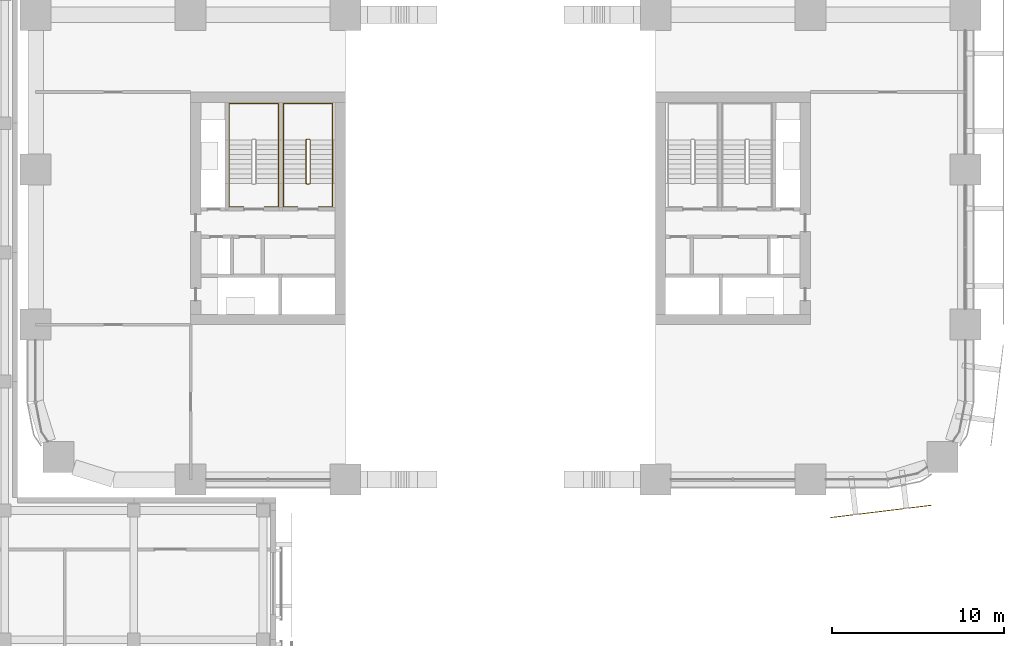
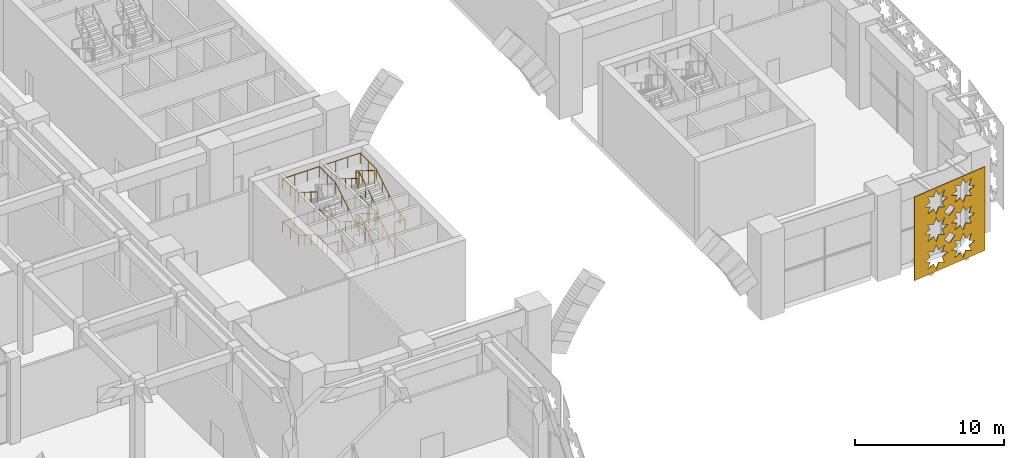
# One storey, part 34 of 42: 5 railings, 1 covering.
"""IFC4 building model written with IfcOpenShell, lengths in metres."""

from ifc_helpers import new_model, si_unit, direction, frame, origin, origin_2d, place, context, subcontext, project, spatial, polyline, circle, outline, extrude, material, layer, layer_set, type_object, element, save


model = new_model("IFC4")

# Units and contexts
model_context = context("Model", 3, precision=1e-05, world=origin(), true_north=direction((0.0, 1.0)))
body_context = subcontext(model_context, "Body", "Model", "MODEL_VIEW")
ifc_project = project(units=[si_unit("LENGTHUNIT", "METRE"), si_unit("AREAUNIT", "SQUARE_METRE"), si_unit("VOLUMEUNIT", "CUBIC_METRE"), si_unit("PLANEANGLEUNIT", "RADIAN"), si_unit("MASSUNIT", "GRAM", prefix="KILO")], contexts=[model_context])

# Site, building, storey
site_placement = place(None, origin())
site = spatial("IfcSite", under=ifc_project, at=site_placement, CompositionType="ELEMENT")
building_placement = place(site_placement, origin())
building = spatial("IfcBuilding", under=site, at=building_placement, Name="Tessera Arch", CompositionType="ELEMENT")
storey_placement = place(building_placement, frame((0.0, 0.0, 14.0)))
storey = spatial("IfcBuildingStorey", under=building, at=storey_placement, Name="L02", CompositionType="ELEMENT", Elevation=14.0)

# Covering
ifc_material_1 = material(Name="Anodised aluminium pale metal", Category="aluminium")
ifc_layer = layer(ifc_material_1, 0.050048828125)
ifc_layer_set = layer_set([ifc_layer], Name="Base lattice panel pale metal")
covering_type = type_object("IfcCoveringType", Name="Base lattice panel pale metal", PredefinedType="CLADDING", material=ifc_layer_set)
covering_placement = place(storey_placement, frame((46.166015625, -2.183837890625, 7.0), z_axis=(-0.120966249049, 0.992656620686, 0.0), x_axis=(0.992656620686, 0.120966249049, 0.0)))
element("IfcCovering", 1, at=covering_placement, inside=storey, type_object=covering_type, Name="Base lattice panel S0.36/1 L02", PredefinedType="CLADDING", context=body_context, shape_type="SweptSolid", body=[
    extrude(outline(polyline([(0.0, 0.0), (5.925593962252626, 0.0), (5.925593962252626, 6.840087890625), (0.0, 6.840087890625), (0.0, 0.0)]), holes=[polyline([(2.828132860395926, 5.669921875), (2.336987823767969, 5.462890625), (2.53815207532478, 4.969970703125), (2.0440693322277617, 5.1708984375), (1.8379695261883193, 4.679931640625), (1.6311131439498763, 5.1708984375), (1.1379997920839962, 4.969970703125), (1.3391640436408068, 5.462890625), (0.84801900701285, 5.669921875), (1.3391640436408068, 5.876953125), (1.1379997920839962, 6.3701171875), (1.6311131439498763, 6.1689453125), (1.8379695261883193, 6.659912109375), (2.0440693322277617, 6.1689453125), (2.53815207532478, 6.3701171875), (2.336987823767969, 5.876953125), (2.828132860395926, 5.669921875)]), polyline([(2.828132860395926, 3.419921875), (2.336987823767969, 3.212890625), (2.53815207532478, 2.719970703125), (2.0440693322277617, 2.9208984375), (1.8379695261883193, 2.429931640625), (1.6311131439498763, 2.9208984375), (1.1379997920839962, 2.719970703125), (1.3391640436408068, 3.212890625), (0.84801900701285, 3.419921875), (1.3391640436408068, 3.626953125), (1.1379997920839962, 4.1201171875), (1.6311131439498763, 3.9189453125), (1.8379695261883193, 4.409912109375), (2.0440693322277617, 3.9189453125), (2.53815207532478, 4.1201171875), (2.336987823767969, 3.626953125), (2.828132860395926, 3.419921875)]), polyline([(2.828132860395926, 1.169921875), (2.336987823767969, 0.962890625), (2.53815207532478, 0.469970703125), (2.0440693322277617, 0.6708984375), (1.8379695261883193, 0.179931640625), (1.6311131439498763, 0.6708984375), (1.1379997920839962, 0.469970703125), (1.3391640436408068, 0.962890625), (0.84801900701285, 1.169921875), (1.3391640436408068, 1.376953125), (1.1379997920839962, 1.8701171875), (1.6311131439498763, 1.6689453125), (1.8379695261883193, 2.159912109375), (2.0440693322277617, 1.6689453125), (2.53815207532478, 1.8701171875), (2.336987823767969, 1.376953125), (2.828132860395926, 1.169921875)]), polyline([(5.078059650855345, 5.669921875), (4.5871569620351735, 5.462890625), (4.7880788657841995, 4.969970703125), (4.294208937719319, 5.1708984375), (4.088109131679876, 4.679931640625), (3.8810399344092956, 5.1708984375), (3.3881393975755536, 4.969970703125), (3.5890908341002263, 5.462890625), (3.0979457974722693, 5.669921875), (3.5890908341002263, 5.876953125), (3.3881393975755536, 6.3701171875), (3.8810399344092956, 6.1689453125), (4.088109131679876, 6.659912109375), (4.294208937719319, 6.1689453125), (4.7880788657841995, 6.3701171875), (4.5871569620351735, 5.876953125), (5.078059650855345, 5.669921875)]), polyline([(5.078059650855345, 3.419921875), (4.5871569620351735, 3.212890625), (4.7880788657841995, 2.719970703125), (4.294208937719319, 2.9208984375), (4.088109131679876, 2.429931640625), (3.8810399344092956, 2.9208984375), (3.3881393975755536, 2.719970703125), (3.5890908341002263, 3.212890625), (3.0979457974722693, 3.419921875), (3.5890908341002263, 3.626953125), (3.3881393975755536, 4.1201171875), (3.8810399344092956, 3.9189453125), (4.088109131679876, 4.409912109375), (4.294208937719319, 3.9189453125), (4.7880788657841995, 4.1201171875), (4.5871569620351735, 3.626953125), (5.078059650855345, 3.419921875)]), polyline([(5.078059650855345, 1.169921875), (4.5871569620351735, 0.962890625), (4.7880788657841995, 0.469970703125), (4.294208937719319, 0.6708984375), (4.088109131679876, 0.179931640625), (3.8810399344092956, 0.6708984375), (3.3881393975755536, 0.469970703125), (3.5890908341002263, 0.962890625), (3.0979457974722693, 1.169921875), (3.5890908341002263, 1.376953125), (3.3881393975755536, 1.8701171875), (3.8810399344092956, 1.6689453125), (4.088109131679876, 2.159912109375), (4.294208937719319, 1.6689453125), (4.7880788657841995, 1.8701171875), (4.5871569620351735, 1.376953125), (5.078059650855345, 1.169921875)]), polyline([(3.4130004522452033, 4.544921875), (2.96316050283799, 4.094970703125), (2.5130782056229926, 4.544921875), (2.96316050283799, 4.9951171875), (3.4130004522452033, 4.544921875)]), polyline([(3.4130004522452033, 2.294921875), (2.96316050283799, 1.844970703125), (2.5130782056229926, 2.294921875), (2.96316050283799, 2.7451171875), (3.4130004522452033, 2.294921875)])]), origin(), (0.0, 0.0, -1.0), 0.050048828125),
])

# Railings
ifc_material_2 = material(Name="Painted steel balustrade", Category="steel")
railing_type_1 = type_object("IfcRailingType", Name="Stair guard 1100", PredefinedType="GUARDRAIL", material=ifc_material_2)
railing_1_placement = place(storey_placement, frame((15.89990234375, 17.14990234375, 0.0)))
element("IfcRailing", 2, at=railing_1_placement, inside=storey, type_object=railing_type_1, Name="L02 S4a stair guard 1", PredefinedType="GUARDRAIL", context=body_context, shape_type="SweptSolid", body=[
    extrude(circle(Radius=0.02392578125, at=origin_2d()), frame((0.00390625, 0.0, 1.076171875), z_axis=(-1.0, 0.0, 0.0), x_axis=(0.0, -1.0, 0.0)), (0.0, 0.0, 1.0), 0.157958984375),
    extrude(circle(Radius=0.02392578125, at=origin_2d()), frame((-0.15283203125, -0.000732421875, 1.073486328125), z_axis=(0.739407315901, 0.185077533284, 0.647319957877), x_axis=(-0.242814311512, 0.970072785993, 0.0)), (0.0, 0.0, 1.0), 0.2783203125),
    extrude(circle(Radius=0.02392578125, at=origin_2d()), frame((0.050048828125, 0.046630859375, 1.2490234375), z_axis=(0.0, 0.848007534815, 0.529984170421), x_axis=(-1.0, 0.0, 0.0)), (0.0, 0.0, 1.0), 2.979736328125),
    extrude(circle(Radius=0.02392578125, at=origin_2d()), frame((0.052978515625, 2.567138671875, 2.826171875), z_axis=(-0.707106781187, 0.707106781187, 0.0), x_axis=(-0.707106781187, -0.707106781187, 0.0)), (0.0, 0.0, 1.0), 0.078857421875),
    extrude(circle(Radius=0.02392578125, at=origin_2d()), frame((0.00390625, 2.6201171875, 2.826171875), z_axis=(-1.0, 0.0, 0.0), x_axis=(0.0, -1.0, 0.0)), (0.0, 0.0, 1.0), 0.157958984375),
    extrude(circle(Radius=0.02392578125, at=origin_2d()), frame((-0.14892578125, 2.62109375, 2.822265625), z_axis=(-0.265065253269, -0.265065253269, 0.927081885822), x_axis=(0.707106781187, -0.707106781187, 0.0)), (0.0, 0.0, 1.0), 0.19677734375),
    extrude(circle(Radius=0.02392578125, at=origin_2d()), frame((-0.199951171875, 2.573486328125, 2.9990234375), z_axis=(0.0, -0.848007534815, 0.529984170421), x_axis=(1.0, 0.0, 0.0)), (0.0, 0.0, 1.0), 2.979736328125),
    extrude(circle(Radius=0.02392578125, at=origin_2d()), frame((-0.203857421875, 0.051025390625, 4.576171875), z_axis=(0.970072785993, -0.242814311512, 0.0), x_axis=(0.242814311512, 0.970072785993, 0.0)), (0.0, 0.0, 1.0), 0.214111328125),
    extrude(circle(Radius=0.02392578125, at=origin_2d()), frame((0.00390625, 0.0, 4.576171875), z_axis=(-1.0, 0.0, 0.0), x_axis=(0.0, -1.0, 0.0)), (0.0, 0.0, 1.0), 0.157958984375),
    extrude(circle(Radius=0.02392578125, at=origin_2d()), frame((-0.15283203125, -0.000732421875, 4.573486328125), z_axis=(0.739407315901, 0.185077533284, 0.647319957877), x_axis=(-0.242814311512, 0.970072785993, 0.0)), (0.0, 0.0, 1.0), 0.2783203125),
    extrude(circle(Radius=0.02392578125, at=origin_2d()), frame((0.050048828125, 0.046630859375, 4.7490234375), z_axis=(0.0, 0.848007534815, 0.529984170421), x_axis=(-1.0, 0.0, 0.0)), (0.0, 0.0, 1.0), 2.979736328125),
    extrude(circle(Radius=0.02392578125, at=origin_2d()), frame((0.052978515625, 2.567138671875, 6.326171875), z_axis=(-0.707106781187, 0.707106781187, 0.0), x_axis=(-0.707106781187, -0.707106781187, 0.0)), (0.0, 0.0, 1.0), 0.078857421875),
    extrude(circle(Radius=0.02392578125, at=origin_2d()), frame((0.00390625, 2.6201171875, 6.326171875), z_axis=(-1.0, 0.0, 0.0), x_axis=(0.0, -1.0, 0.0)), (0.0, 0.0, 1.0), 0.157958984375),
    extrude(circle(Radius=0.02392578125, at=origin_2d()), frame((-0.14892578125, 2.62109375, 6.322265625), z_axis=(-0.265065253269, -0.265065253269, 0.927081885822), x_axis=(0.707106781187, -0.707106781187, 0.0)), (0.0, 0.0, 1.0), 0.19677734375),
    extrude(circle(Radius=0.02392578125, at=origin_2d()), frame((-0.199951171875, 2.573486328125, 6.4990234375), z_axis=(0.0, -0.848007534815, 0.529984170421), x_axis=(1.0, 0.0, 0.0)), (0.0, 0.0, 1.0), 2.979736328125),
    extrude(circle(Radius=0.02099609375, at=origin_2d()), origin(), (0.0, 0.0, 1.0), 1.06396484375),
    extrude(circle(Radius=0.02099609375, at=origin_2d()), frame((-0.14990234375, 0.0, 0.0)), (0.0, 0.0, 1.0), 1.06396484375),
    extrude(circle(Radius=0.02099609375, at=origin_2d()), frame((0.050048828125, 0.050048828125, 0.175048828125)), (0.0, 0.0, 1.0), 1.06396484375),
    extrude(circle(Radius=0.02099609375, at=origin_2d()), frame((0.050048828125, 0.89013671875, 0.699951171875)), (0.0, 0.0, 1.0), 1.06396484375),
    extrude(circle(Radius=0.02099609375, at=origin_2d()), frame((0.050048828125, 1.72998046875, 1.22509765625)), (0.0, 0.0, 1.0), 1.06396484375),
    extrude(circle(Radius=0.02099609375, at=origin_2d()), frame((0.050048828125, 2.570068359375, 1.75)), (0.0, 0.0, 1.0), 1.06396484375),
    extrude(circle(Radius=0.02099609375, at=origin_2d()), frame((0.0, 2.6201171875, 1.75)), (0.0, 0.0, 1.0), 1.06396484375),
    extrude(circle(Radius=0.02099609375, at=origin_2d()), frame((-0.14990234375, 2.6201171875, 1.75)), (0.0, 0.0, 1.0), 1.06396484375),
    extrude(circle(Radius=0.02099609375, at=origin_2d()), frame((-0.199951171875, 2.570068359375, 1.925048828125)), (0.0, 0.0, 1.0), 1.06396484375),
    extrude(circle(Radius=0.02099609375, at=origin_2d()), frame((-0.199951171875, 1.72998046875, 2.449951171875)), (0.0, 0.0, 1.0), 1.06396484375),
    extrude(circle(Radius=0.02099609375, at=origin_2d()), frame((-0.199951171875, 0.89013671875, 2.97509765625)), (0.0, 0.0, 1.0), 1.06396484375),
    extrude(circle(Radius=0.02099609375, at=origin_2d()), frame((-0.199951171875, 0.050048828125, 3.5)), (0.0, 0.0, 1.0), 1.06396484375),
    extrude(circle(Radius=0.02099609375, at=origin_2d()), frame((0.0, 0.0, 3.5)), (0.0, 0.0, 1.0), 1.06396484375),
    extrude(circle(Radius=0.02099609375, at=origin_2d()), frame((-0.14990234375, 0.0, 3.5)), (0.0, 0.0, 1.0), 1.06396484375),
    extrude(circle(Radius=0.02099609375, at=origin_2d()), frame((0.050048828125, 0.050048828125, 3.675048828125)), (0.0, 0.0, 1.0), 1.06396484375),
    extrude(circle(Radius=0.02099609375, at=origin_2d()), frame((0.050048828125, 0.89013671875, 4.199951171875)), (0.0, 0.0, 1.0), 1.06396484375),
    extrude(circle(Radius=0.02099609375, at=origin_2d()), frame((0.050048828125, 1.72998046875, 4.72509765625)), (0.0, 0.0, 1.0), 1.06396484375),
    extrude(circle(Radius=0.02099609375, at=origin_2d()), frame((0.050048828125, 2.570068359375, 5.25)), (0.0, 0.0, 1.0), 1.06396484375),
    extrude(circle(Radius=0.02099609375, at=origin_2d()), frame((0.0, 2.6201171875, 5.25)), (0.0, 0.0, 1.0), 1.06396484375),
    extrude(circle(Radius=0.02099609375, at=origin_2d()), frame((-0.14990234375, 2.6201171875, 5.25)), (0.0, 0.0, 1.0), 1.06396484375),
    extrude(circle(Radius=0.02099609375, at=origin_2d()), frame((-0.199951171875, 2.570068359375, 5.425048828125)), (0.0, 0.0, 1.0), 1.06396484375),
    extrude(circle(Radius=0.02099609375, at=origin_2d()), frame((-0.199951171875, 1.72998046875, 5.949951171875)), (0.0, 0.0, 1.0), 1.06396484375),
    extrude(circle(Radius=0.02099609375, at=origin_2d()), frame((-0.199951171875, 0.89013671875, 6.47509765625)), (0.0, 0.0, 1.0), 1.06396484375),
    extrude(circle(Radius=0.02099609375, at=origin_2d()), frame((-0.199951171875, 0.050048828125, 7.0)), (0.0, 0.0, 1.0), 1.06396484375),
])
ifc_material_3 = material(Name="Painted steel handrail", Category="steel")
railing_type_2 = type_object("IfcRailingType", Name="Stair handrail 900", PredefinedType="HANDRAIL", material=ifc_material_3)
railing_2_placement = place(storey_placement, frame((17.25, 17.199951171875, 0.175048828125)))
element("IfcRailing", 3, at=railing_2_placement, inside=storey, type_object=railing_type_2, Name="L02 S4a stair handrail", PredefinedType="HANDRAIL", context=body_context, shape_type="SweptSolid", body=[
    extrude(circle(Radius=0.02392578125, at=origin_2d()), frame((0.0, -0.00341796875, 0.873779296875), z_axis=(0.0, 0.848007534815, 0.529984170421), x_axis=(-1.0, 0.0, 0.0)), (0.0, 0.0, 1.0), 2.979736328125),
    extrude(circle(Radius=0.02392578125, at=origin_2d()), frame((0.0, 2.51611328125, 2.45068359375), z_axis=(0.0, 1.0, 0.0), x_axis=(-1.0, 0.0, 0.0)), (0.0, 0.0, 1.0), 2.13818359375),
    extrude(circle(Radius=0.02392578125, at=origin_2d()), frame((0.00390625, 4.650146484375, 2.45068359375), z_axis=(-1.0, 0.0, 0.0), x_axis=(0.0, -1.0, 0.0)), (0.0, 0.0, 1.0), 2.858154296875),
    extrude(circle(Radius=0.02392578125, at=origin_2d()), frame((-2.85009765625, 4.654052734375, 2.450439453125), z_axis=(0.0, -0.996640423177, 0.0819015683), x_axis=(1.0, 0.0, 0.0)), (0.0, 0.0, 1.0), 2.145263671875),
    extrude(circle(Radius=0.02392578125, at=origin_2d()), frame((-2.85009765625, 2.5234375, 2.623779296875), z_axis=(0.0, -0.848007534815, 0.529984170421), x_axis=(1.0, 0.0, 0.0)), (0.0, 0.0, 1.0), 2.979736328125),
    extrude(circle(Radius=0.02392578125, at=origin_2d()), frame((-2.85009765625, 0.00390625, 4.20068359375), z_axis=(0.0, -1.0, 0.0), x_axis=(1.0, 0.0, 0.0)), (0.0, 0.0, 1.0), 1.35791015625),
    extrude(circle(Radius=0.02392578125, at=origin_2d()), frame((-2.85400390625, -1.349853515625, 4.20068359375), z_axis=(1.0, 0.0, 0.0), x_axis=(0.0, 1.0, 0.0)), (0.0, 0.0, 1.0), 0.833251953125),
    extrude(circle(Radius=0.02099609375, at=origin_2d()), origin(), (0.0, 0.0, 1.0), 0.86376953125),
    extrude(circle(Radius=0.02099609375, at=origin_2d()), frame((0.0, 0.840087890625, 0.52490234375)), (0.0, 0.0, 1.0), 0.86376953125),
    extrude(circle(Radius=0.02099609375, at=origin_2d()), frame((0.0, 1.679931640625, 1.050048828125)), (0.0, 0.0, 1.0), 0.86376953125),
    extrude(circle(Radius=0.02099609375, at=origin_2d()), frame((0.0, 2.52001953125, 1.574951171875)), (0.0, 0.0, 1.0), 0.86376953125),
    extrude(circle(Radius=0.02099609375, at=origin_2d()), frame((0.0, 3.5849609375, 1.574951171875)), (0.0, 0.0, 1.0), 0.86376953125),
    extrude(circle(Radius=0.02099609375, at=origin_2d()), frame((0.0, 4.650146484375, 1.574951171875)), (0.0, 0.0, 1.0), 0.86376953125),
    extrude(circle(Radius=0.02099609375, at=origin_2d()), frame((-0.949951171875, 4.650146484375, 1.574951171875)), (0.0, 0.0, 1.0), 0.86376953125),
    extrude(circle(Radius=0.02099609375, at=origin_2d()), frame((-1.900146484375, 4.650146484375, 1.574951171875)), (0.0, 0.0, 1.0), 0.86376953125),
    extrude(circle(Radius=0.02099609375, at=origin_2d()), frame((-2.85009765625, 4.650146484375, 1.574951171875)), (0.0, 0.0, 1.0), 0.86376953125),
    extrude(circle(Radius=0.02099609375, at=origin_2d()), frame((-2.85009765625, 3.5849609375, 1.66259765625)), (0.0, 0.0, 1.0), 0.86376953125),
    extrude(circle(Radius=0.02099609375, at=origin_2d()), frame((-2.85009765625, 2.52001953125, 1.75)), (0.0, 0.0, 1.0), 0.86376953125),
    extrude(circle(Radius=0.02099609375, at=origin_2d()), frame((-2.85009765625, 1.679931640625, 2.27490234375)), (0.0, 0.0, 1.0), 0.86376953125),
    extrude(circle(Radius=0.02099609375, at=origin_2d()), frame((-2.85009765625, 0.840087890625, 2.800048828125)), (0.0, 0.0, 1.0), 0.86376953125),
    extrude(circle(Radius=0.02099609375, at=origin_2d()), frame((-2.85009765625, 0.0, 3.324951171875)), (0.0, 0.0, 1.0), 0.86376953125),
    extrude(circle(Radius=0.02099609375, at=origin_2d()), frame((-2.85009765625, -0.6748046875, 3.324951171875)), (0.0, 0.0, 1.0), 0.86376953125),
    extrude(circle(Radius=0.02099609375, at=origin_2d()), frame((-2.85009765625, -1.349853515625, 3.324951171875)), (0.0, 0.0, 1.0), 0.86376953125),
    extrude(circle(Radius=0.02099609375, at=origin_2d()), frame((-2.02490234375, -1.349853515625, 3.324951171875)), (0.0, 0.0, 1.0), 0.86376953125),
])
railing_3_placement = place(storey_placement, frame((16.425048828125, 15.85009765625, 3.5)))
element("IfcRailing", 4, at=railing_3_placement, inside=storey, type_object=railing_type_2, Name="L02 S4a stair handrail 2", PredefinedType="HANDRAIL", context=body_context, shape_type="SweptSolid", body=[
    extrude(circle(Radius=0.02392578125, at=origin_2d()), frame((-0.00390625, 0.0, 0.8759765625), z_axis=(1.0, 0.0, 0.0), x_axis=(0.0, 1.0, 0.0)), (0.0, 0.0, 1.0), 0.8330078125),
    extrude(circle(Radius=0.02392578125, at=origin_2d()), frame((0.824951171875, -0.00390625, 0.875244140625), z_axis=(0.0, 0.991696153654, 0.128603028065), x_axis=(-1.0, 0.0, 0.0)), (0.0, 0.0, 1.0), 1.369140625),
    extrude(circle(Radius=0.02392578125, at=origin_2d()), frame((0.824951171875, 1.346435546875, 1.048828125), z_axis=(0.0, 0.848007534815, 0.529984170421), x_axis=(-1.0, 0.0, 0.0)), (0.0, 0.0, 1.0), 2.979736328125),
    extrude(circle(Radius=0.02392578125, at=origin_2d()), frame((0.824951171875, 3.865966796875, 2.6259765625), z_axis=(0.0, 1.0, 0.0), x_axis=(-1.0, 0.0, 0.0)), (0.0, 0.0, 1.0), 2.13818359375),
    extrude(circle(Radius=0.02392578125, at=origin_2d()), frame((0.828857421875, 6.0, 2.6259765625), z_axis=(-1.0, 0.0, 0.0), x_axis=(0.0, -1.0, 0.0)), (0.0, 0.0, 1.0), 2.858154296875),
    extrude(circle(Radius=0.02392578125, at=origin_2d()), frame((-2.025146484375, 6.00390625, 2.62548828125), z_axis=(0.0, -0.996640423177, 0.0819015683), x_axis=(1.0, 0.0, 0.0)), (0.0, 0.0, 1.0), 2.145263671875),
    extrude(circle(Radius=0.02392578125, at=origin_2d()), frame((-2.025146484375, 3.873291015625, 2.798828125), z_axis=(0.0, -0.848007534815, 0.529984170421), x_axis=(1.0, 0.0, 0.0)), (0.0, 0.0, 1.0), 2.979736328125),
    extrude(circle(Radius=0.02099609375, at=origin_2d()), origin(), (0.0, 0.0, 1.0), 0.86376953125),
    extrude(circle(Radius=0.02099609375, at=origin_2d()), frame((0.824951171875, 0.0, 0.0)), (0.0, 0.0, 1.0), 0.86376953125),
    extrude(circle(Radius=0.02099609375, at=origin_2d()), frame((0.824951171875, 0.6748046875, 0.08740234375)), (0.0, 0.0, 1.0), 0.86376953125),
    extrude(circle(Radius=0.02099609375, at=origin_2d()), frame((0.824951171875, 1.349853515625, 0.175048828125)), (0.0, 0.0, 1.0), 0.86376953125),
    extrude(circle(Radius=0.02099609375, at=origin_2d()), frame((0.824951171875, 2.18994140625, 0.699951171875)), (0.0, 0.0, 1.0), 0.86376953125),
    extrude(circle(Radius=0.02099609375, at=origin_2d()), frame((0.824951171875, 3.02978515625, 1.22509765625)), (0.0, 0.0, 1.0), 0.86376953125),
    extrude(circle(Radius=0.02099609375, at=origin_2d()), frame((0.824951171875, 3.869873046875, 1.75)), (0.0, 0.0, 1.0), 0.86376953125),
    extrude(circle(Radius=0.02099609375, at=origin_2d()), frame((0.824951171875, 4.93505859375, 1.75)), (0.0, 0.0, 1.0), 0.86376953125),
    extrude(circle(Radius=0.02099609375, at=origin_2d()), frame((0.824951171875, 6.0, 1.75)), (0.0, 0.0, 1.0), 0.86376953125),
    extrude(circle(Radius=0.02099609375, at=origin_2d()), frame((-0.125, 6.0, 1.75)), (0.0, 0.0, 1.0), 0.86376953125),
    extrude(circle(Radius=0.02099609375, at=origin_2d()), frame((-1.0751953125, 6.0, 1.75)), (0.0, 0.0, 1.0), 0.86376953125),
    extrude(circle(Radius=0.02099609375, at=origin_2d()), frame((-2.025146484375, 6.0, 1.75)), (0.0, 0.0, 1.0), 0.86376953125),
    extrude(circle(Radius=0.02099609375, at=origin_2d()), frame((-2.025146484375, 4.93505859375, 1.83740234375)), (0.0, 0.0, 1.0), 0.86376953125),
    extrude(circle(Radius=0.02099609375, at=origin_2d()), frame((-2.025146484375, 3.869873046875, 1.925048828125)), (0.0, 0.0, 1.0), 0.86376953125),
    extrude(circle(Radius=0.02099609375, at=origin_2d()), frame((-2.025146484375, 3.02978515625, 2.449951171875)), (0.0, 0.0, 1.0), 0.86376953125),
    extrude(circle(Radius=0.02099609375, at=origin_2d()), frame((-2.025146484375, 2.18994140625, 2.97509765625)), (0.0, 0.0, 1.0), 0.86376953125),
    extrude(circle(Radius=0.02099609375, at=origin_2d()), frame((-2.025146484375, 1.349853515625, 3.5)), (0.0, 0.0, 1.0), 0.86376953125),
])
railing_4_placement = place(storey_placement, frame((14.10009765625, 17.199951171875, 0.175048828125)))
element("IfcRailing", 5, at=railing_4_placement, inside=storey, type_object=railing_type_2, Name="L02 S4b stair handrail", PredefinedType="HANDRAIL", context=body_context, shape_type="SweptSolid", body=[
    extrude(circle(Radius=0.02392578125, at=origin_2d()), frame((0.0, -0.00341796875, 0.873779296875), z_axis=(0.0, 0.848007534815, 0.529984170421), x_axis=(-1.0, 0.0, 0.0)), (0.0, 0.0, 1.0), 2.979736328125),
    extrude(circle(Radius=0.02392578125, at=origin_2d()), frame((0.0, 2.51611328125, 2.45068359375), z_axis=(0.0, 1.0, 0.0), x_axis=(-1.0, 0.0, 0.0)), (0.0, 0.0, 1.0), 2.13818359375),
    extrude(circle(Radius=0.02392578125, at=origin_2d()), frame((0.00390625, 4.650146484375, 2.45068359375), z_axis=(-1.0, 0.0, 0.0), x_axis=(0.0, -1.0, 0.0)), (0.0, 0.0, 1.0), 2.858154296875),
    extrude(circle(Radius=0.02392578125, at=origin_2d()), frame((-2.85009765625, 4.654052734375, 2.450439453125), z_axis=(0.0, -0.996640423177, 0.0819015683), x_axis=(1.0, 0.0, 0.0)), (0.0, 0.0, 1.0), 2.145263671875),
    extrude(circle(Radius=0.02392578125, at=origin_2d()), frame((-2.85009765625, 2.5234375, 2.623779296875), z_axis=(0.0, -0.848007534815, 0.529984170421), x_axis=(1.0, 0.0, 0.0)), (0.0, 0.0, 1.0), 2.979736328125),
    extrude(circle(Radius=0.02392578125, at=origin_2d()), frame((-2.85009765625, 0.00390625, 4.20068359375), z_axis=(0.0, -1.0, 0.0), x_axis=(1.0, 0.0, 0.0)), (0.0, 0.0, 1.0), 1.35791015625),
    extrude(circle(Radius=0.02392578125, at=origin_2d()), frame((-2.85400390625, -1.349853515625, 4.20068359375), z_axis=(1.0, 0.0, 0.0), x_axis=(0.0, 1.0, 0.0)), (0.0, 0.0, 1.0), 0.8330078125),
    extrude(circle(Radius=0.02099609375, at=origin_2d()), origin(), (0.0, 0.0, 1.0), 0.86376953125),
    extrude(circle(Radius=0.02099609375, at=origin_2d()), frame((0.0, 0.840087890625, 0.52490234375)), (0.0, 0.0, 1.0), 0.86376953125),
    extrude(circle(Radius=0.02099609375, at=origin_2d()), frame((0.0, 1.679931640625, 1.050048828125)), (0.0, 0.0, 1.0), 0.86376953125),
    extrude(circle(Radius=0.02099609375, at=origin_2d()), frame((0.0, 2.52001953125, 1.574951171875)), (0.0, 0.0, 1.0), 0.86376953125),
    extrude(circle(Radius=0.02099609375, at=origin_2d()), frame((0.0, 3.5849609375, 1.574951171875)), (0.0, 0.0, 1.0), 0.86376953125),
    extrude(circle(Radius=0.02099609375, at=origin_2d()), frame((0.0, 4.650146484375, 1.574951171875)), (0.0, 0.0, 1.0), 0.86376953125),
    extrude(circle(Radius=0.02099609375, at=origin_2d()), frame((-0.949951171875, 4.650146484375, 1.574951171875)), (0.0, 0.0, 1.0), 0.86376953125),
    extrude(circle(Radius=0.02099609375, at=origin_2d()), frame((-1.900146484375, 4.650146484375, 1.574951171875)), (0.0, 0.0, 1.0), 0.86376953125),
    extrude(circle(Radius=0.02099609375, at=origin_2d()), frame((-2.85009765625, 4.650146484375, 1.574951171875)), (0.0, 0.0, 1.0), 0.86376953125),
    extrude(circle(Radius=0.02099609375, at=origin_2d()), frame((-2.85009765625, 3.5849609375, 1.66259765625)), (0.0, 0.0, 1.0), 0.86376953125),
    extrude(circle(Radius=0.02099609375, at=origin_2d()), frame((-2.85009765625, 2.52001953125, 1.75)), (0.0, 0.0, 1.0), 0.86376953125),
    extrude(circle(Radius=0.02099609375, at=origin_2d()), frame((-2.85009765625, 1.679931640625, 2.27490234375)), (0.0, 0.0, 1.0), 0.86376953125),
    extrude(circle(Radius=0.02099609375, at=origin_2d()), frame((-2.85009765625, 0.840087890625, 2.800048828125)), (0.0, 0.0, 1.0), 0.86376953125),
    extrude(circle(Radius=0.02099609375, at=origin_2d()), frame((-2.85009765625, 0.0, 3.324951171875)), (0.0, 0.0, 1.0), 0.86376953125),
    extrude(circle(Radius=0.02099609375, at=origin_2d()), frame((-2.85009765625, -0.6748046875, 3.324951171875)), (0.0, 0.0, 1.0), 0.86376953125),
    extrude(circle(Radius=0.02099609375, at=origin_2d()), frame((-2.85009765625, -1.349853515625, 3.324951171875)), (0.0, 0.0, 1.0), 0.86376953125),
    extrude(circle(Radius=0.02099609375, at=origin_2d()), frame((-2.025146484375, -1.349853515625, 3.324951171875)), (0.0, 0.0, 1.0), 0.86376953125),
])
railing_5_placement = place(storey_placement, frame((13.27490234375, 15.85009765625, 3.5)))
element("IfcRailing", 6, at=railing_5_placement, inside=storey, type_object=railing_type_2, Name="L02 S4b stair handrail 2", PredefinedType="HANDRAIL", context=body_context, shape_type="SweptSolid", body=[
    extrude(circle(Radius=0.02392578125, at=origin_2d()), frame((-0.00390625, 0.0, 0.8759765625), z_axis=(1.0, 0.0, 0.0), x_axis=(0.0, 1.0, 0.0)), (0.0, 0.0, 1.0), 0.833251953125),
    extrude(circle(Radius=0.02392578125, at=origin_2d()), frame((0.8251953125, -0.00390625, 0.875244140625), z_axis=(0.0, 0.991696153654, 0.128603028065), x_axis=(-1.0, 0.0, 0.0)), (0.0, 0.0, 1.0), 1.369140625),
    extrude(circle(Radius=0.02392578125, at=origin_2d()), frame((0.8251953125, 1.346435546875, 1.048828125), z_axis=(0.0, 0.848007534815, 0.529984170421), x_axis=(-1.0, 0.0, 0.0)), (0.0, 0.0, 1.0), 2.979736328125),
    extrude(circle(Radius=0.02392578125, at=origin_2d()), frame((0.8251953125, 3.865966796875, 2.6259765625), z_axis=(0.0, 1.0, 0.0), x_axis=(-1.0, 0.0, 0.0)), (0.0, 0.0, 1.0), 2.13818359375),
    extrude(circle(Radius=0.02392578125, at=origin_2d()), frame((0.8291015625, 6.0, 2.6259765625), z_axis=(-1.0, 0.0, 0.0), x_axis=(0.0, -1.0, 0.0)), (0.0, 0.0, 1.0), 2.858154296875),
    extrude(circle(Radius=0.02392578125, at=origin_2d()), frame((-2.02490234375, 6.00390625, 2.62548828125), z_axis=(0.0, -0.996640423177, 0.0819015683), x_axis=(1.0, 0.0, 0.0)), (0.0, 0.0, 1.0), 2.145263671875),
    extrude(circle(Radius=0.02392578125, at=origin_2d()), frame((-2.02490234375, 3.873291015625, 2.798828125), z_axis=(0.0, -0.848007534815, 0.529984170421), x_axis=(1.0, 0.0, 0.0)), (0.0, 0.0, 1.0), 2.979736328125),
    extrude(circle(Radius=0.02099609375, at=origin_2d()), origin(), (0.0, 0.0, 1.0), 0.86376953125),
    extrude(circle(Radius=0.02099609375, at=origin_2d()), frame((0.8251953125, 0.0, 0.0)), (0.0, 0.0, 1.0), 0.86376953125),
    extrude(circle(Radius=0.02099609375, at=origin_2d()), frame((0.8251953125, 0.6748046875, 0.08740234375)), (0.0, 0.0, 1.0), 0.86376953125),
    extrude(circle(Radius=0.02099609375, at=origin_2d()), frame((0.8251953125, 1.349853515625, 0.175048828125)), (0.0, 0.0, 1.0), 0.86376953125),
    extrude(circle(Radius=0.02099609375, at=origin_2d()), frame((0.8251953125, 2.18994140625, 0.699951171875)), (0.0, 0.0, 1.0), 0.86376953125),
    extrude(circle(Radius=0.02099609375, at=origin_2d()), frame((0.8251953125, 3.02978515625, 1.22509765625)), (0.0, 0.0, 1.0), 0.86376953125),
    extrude(circle(Radius=0.02099609375, at=origin_2d()), frame((0.8251953125, 3.869873046875, 1.75)), (0.0, 0.0, 1.0), 0.86376953125),
    extrude(circle(Radius=0.02099609375, at=origin_2d()), frame((0.8251953125, 4.93505859375, 1.75)), (0.0, 0.0, 1.0), 0.86376953125),
    extrude(circle(Radius=0.02099609375, at=origin_2d()), frame((0.8251953125, 6.0, 1.75)), (0.0, 0.0, 1.0), 0.86376953125),
    extrude(circle(Radius=0.02099609375, at=origin_2d()), frame((-0.124755859375, 6.0, 1.75)), (0.0, 0.0, 1.0), 0.86376953125),
    extrude(circle(Radius=0.02099609375, at=origin_2d()), frame((-1.074951171875, 6.0, 1.75)), (0.0, 0.0, 1.0), 0.86376953125),
    extrude(circle(Radius=0.02099609375, at=origin_2d()), frame((-2.02490234375, 6.0, 1.75)), (0.0, 0.0, 1.0), 0.86376953125),
    extrude(circle(Radius=0.02099609375, at=origin_2d()), frame((-2.02490234375, 4.93505859375, 1.83740234375)), (0.0, 0.0, 1.0), 0.86376953125),
    extrude(circle(Radius=0.02099609375, at=origin_2d()), frame((-2.02490234375, 3.869873046875, 1.925048828125)), (0.0, 0.0, 1.0), 0.86376953125),
    extrude(circle(Radius=0.02099609375, at=origin_2d()), frame((-2.02490234375, 3.02978515625, 2.449951171875)), (0.0, 0.0, 1.0), 0.86376953125),
    extrude(circle(Radius=0.02099609375, at=origin_2d()), frame((-2.02490234375, 2.18994140625, 2.97509765625)), (0.0, 0.0, 1.0), 0.86376953125),
    extrude(circle(Radius=0.02099609375, at=origin_2d()), frame((-2.02490234375, 1.349853515625, 3.5)), (0.0, 0.0, 1.0), 0.86376953125),
])

save(model, "model.ifc")
